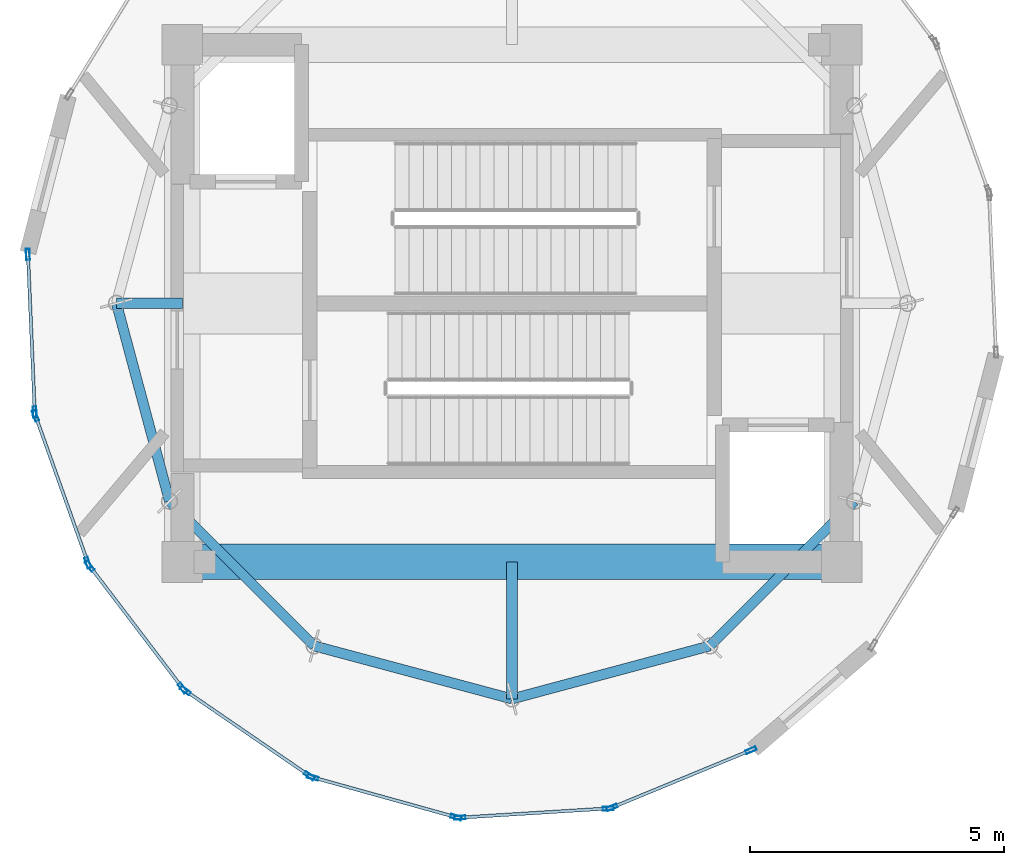
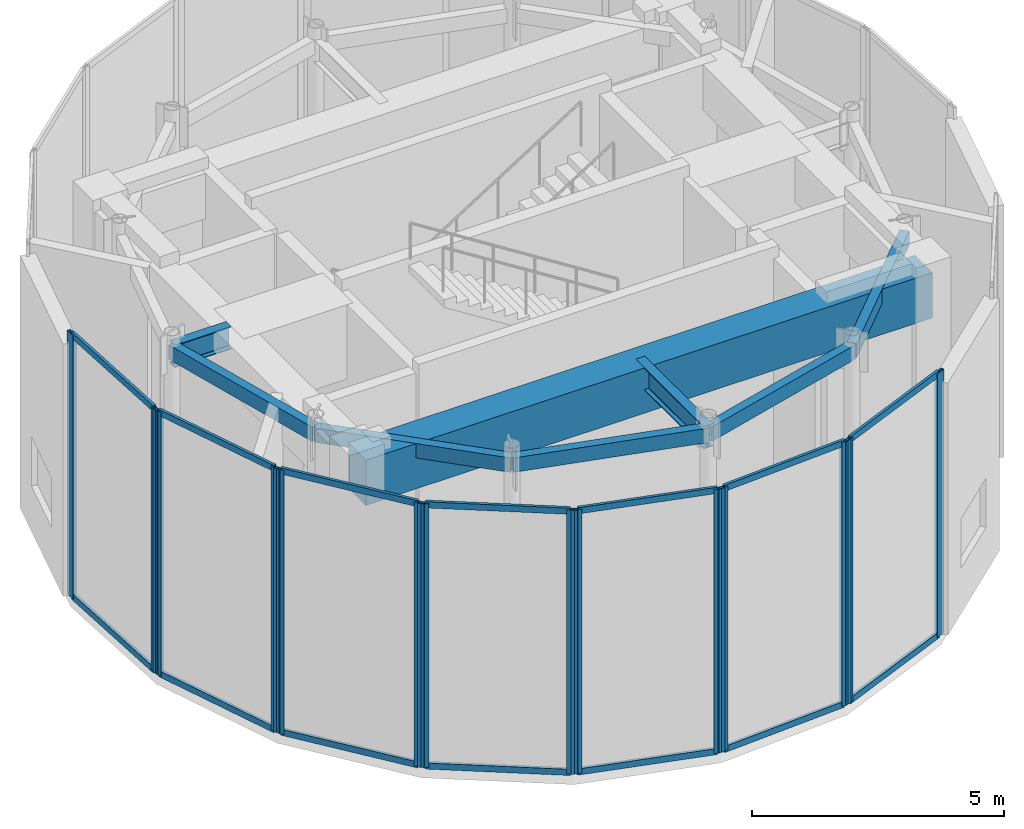
# One storey, part 2 of 8: 28 members, 8 beams, 7 elements without a shape of their own.
"""IFC4 building model written with IfcOpenShell, lengths in metres."""

from ifc_helpers import new_model, si_unit, direction, frame, origin, origin_2d, place, context, subcontext, project, spatial, rectangle, hollow_rectangle, i_section, extrude, source, transform, mapped, material, layer, layer_set, material_profile, profile_set, type_object, element, aggregate, save


model = new_model("IFC4")

# Units and contexts
model_context = context("Model", 3, precision=1e-05, world=origin(), true_north=direction((0.0, 1.0)))
body_context = subcontext(model_context, "Body", "Model", "MODEL_VIEW")
ifc_project = project(units=[si_unit("LENGTHUNIT", "METRE"), si_unit("AREAUNIT", "SQUARE_METRE"), si_unit("VOLUMEUNIT", "CUBIC_METRE"), si_unit("PLANEANGLEUNIT", "RADIAN"), si_unit("MASSUNIT", "GRAM", prefix="KILO")], contexts=[model_context])

# Site, building, storey
site_placement = place(None, origin())
site = spatial("IfcSite", under=ifc_project, at=site_placement, CompositionType="ELEMENT")
building_placement = place(site_placement, origin())
building = spatial("IfcBuilding", under=site, at=building_placement, Name="Solvirekh Grand Hotel", CompositionType="ELEMENT")
storey_placement = place(building_placement, frame((0.0, 0.0, 327.39990234375)))
storey = spatial("IfcBuildingStorey", under=building, at=storey_placement, Name="L82", CompositionType="ELEMENT", Elevation=327.39990234375)

# Beams
ifc_material_1 = material(Name="Concrete C60/75", Category="concrete")
ifc_material_profile_1 = material_profile(ifc_material_1, rectangle(XDim=0.699951171875, YDim=1.10009765625, at=origin_2d()), Name="RC BEAM 700X1100")
ifc_profile_set_1 = profile_set([ifc_material_profile_1], Name="Concrete C60/75")
beam_type_1 = type_object("IfcBeamType", Name="Beam_Core_RC1100", PredefinedType="BEAM", material=ifc_profile_set_1)
beam_1_placement = place(storey_placement, frame((-6.5, -5.10009765625, 5.570068359375), z_axis=(1.0, 0.0, 0.0), x_axis=(0.0, 1.0, 0.0)))
element("IfcBeam", 1, at=beam_1_placement, inside=storey, type_object=beam_type_1, Name="L82 core coupling ring beam 1", PredefinedType="BEAM", context=body_context, shape_type="SweptSolid", body=[
    extrude(rectangle(XDim=0.699951171875, YDim=1.10009765625, at=origin_2d()), origin(), (0.0, 0.0, 1.0), 13.0),
])
ifc_material_2 = material(Name="Steel S355", Category="steel")
ifc_material_profile_2 = material_profile(ifc_material_2, i_section(OverallWidth=0.2119140625, OverallDepth=0.5439453125, WebThickness=0.011962890625, FlangeThickness=0.01904296875, FilletRadius=0.013916015625, at=origin_2d()), Name="W530X123")
ifc_profile_set_2 = profile_set([ifc_material_profile_2], Name="Steel S355")
beam_type_2 = type_object("IfcBeamType", Name="Beam_Radial_W530H", PredefinedType="BEAM", material=ifc_profile_set_2)
beam_2_placement = place(storey_placement, frame((-6.5, 0.0, 5.84814453125), z_axis=(-1.0, 0.0, 0.0), x_axis=(0.0, -1.0, 0.0)))
element("IfcBeam", 2, at=beam_2_placement, inside=storey, type_object=beam_type_2, Name="L82 radial floor beam R07", PredefinedType="BEAM", context=body_context, shape_type="SweptSolid", body=[
    extrude(i_section(OverallWidth=0.2119140625, OverallDepth=0.5439453125, WebThickness=0.011962890625, FlangeThickness=0.01904296875, FilletRadius=0.013916015625, at=origin_2d()), origin(), (0.0, 0.0, 1.0), 1.300048828125),
])
beam_3_placement = place(storey_placement, frame((0.0, -5.10009765625, 5.84814453125), z_axis=(0.0, -1.0, 0.0), x_axis=(1.0, 0.0, 0.0)))
element("IfcBeam", 3, at=beam_3_placement, inside=storey, type_object=beam_type_2, Name="L82 radial floor beam R10", PredefinedType="BEAM", context=body_context, shape_type="SweptSolid", body=[
    extrude(i_section(OverallWidth=0.2119140625, OverallDepth=0.5439453125, WebThickness=0.011962890625, FlangeThickness=0.01904296875, FilletRadius=0.013916015625, at=origin_2d()), origin(), (0.0, 0.0, 1.0), 2.699951171875),
])
ifc_material_profile_3 = material_profile(ifc_material_2, hollow_rectangle(XDim=0.199951171875, YDim=0.35009765625, WallThickness=0.013916015625, at=origin_2d()), Name="RHS 350X200X14")
ifc_profile_set_3 = profile_set([ifc_material_profile_3], Name="Steel S355")
beam_type_3 = type_object("IfcBeamType", Name="Spandrel_Crown_RHS350", PredefinedType="SPANDREL", material=ifc_profile_set_3)
for number, where, z_axis, x_axis, name in (
    (4, (-7.800048828125, 0.0, 5.945068359375), (0.258863027773, -0.965914040095, 0.0), (0.965914040095, 0.258863027773, 0.0), "L82 perimeter spandrel beam 7"),
    (5, (-6.7548828125, -3.89990234375, 5.945068359375), (0.707106781187, -0.707106781187, 0.0), (0.707106781187, 0.707106781187, 0.0), "L82 perimeter spandrel beam 8"),
    (6, (-3.89990234375, -6.7548828125, 5.945068359375), (0.965914040095, -0.258863027773, 0.0), (0.258863027773, 0.965914040095, 0.0), "L82 perimeter spandrel beam 9"),
    (7, (0.0, -7.800048828125, 5.945068359375), (0.965914040095, 0.258863027773, 0.0), (-0.258863027773, 0.965914040095, 0.0), "L82 perimeter spandrel beam 10"),
    (8, (3.89990234375, -6.7548828125, 5.945068359375), (0.707106781187, 0.707106781187, 0.0), (-0.707106781187, 0.707106781187, 0.0), "L82 perimeter spandrel beam 11"),
):
    element("IfcBeam", number, at=place(storey_placement, frame(where, z_axis=z_axis, x_axis=x_axis)), inside=storey, type_object=beam_type_3, Name=name, PredefinedType="SPANDREL", context=body_context, shape_type="SweptSolid", body=[
        extrude(hollow_rectangle(XDim=0.199951171875, YDim=0.35009765625, WallThickness=0.013916015625, at=origin_2d()), origin(), (0.0, 0.0, 1.0), 4.03759765625),
    ])

# Curtain wall, members
ifc_material_3 = material(Name="Anodized Bronze Aluminium 6063-T6", Category="aluminium")
ifc_layer = layer(ifc_material_3, 0.219970703125)
ifc_layer_set = layer_set([ifc_layer], Name="Anodized Bronze Aluminium 6063-T6")
curtain_wall_type = type_object("IfcCurtainWallType", Name="CW_Sys6_CrownFacetedPointCW", PredefinedType="NOTDEFINED", material=ifc_layer_set)
curtain_wall_1_placement = place(storey_placement, origin())
curtain_wall_1 = element("IfcCurtainWall", 9, at=curtain_wall_1_placement, inside=storey, type_object=curtain_wall_type, Name="L82 unitised bronze-glass curtain wall CW-L82-C01", PredefinedType="NOTDEFINED")
ifc_material_profile_4 = material_profile(ifc_material_3, hollow_rectangle(XDim=0.074951171875, YDim=0.219970703125, WallThickness=0.006103515625, at=origin_2d()), Name="ALU RHS 220X75X6")
ifc_profile_set_4 = profile_set([ifc_material_profile_4], Name="Anodized Bronze Aluminium 6063-T6")
member_type_1 = type_object("IfcMemberType", Name="CWMullion_Sys6", PredefinedType="MULLION", material=ifc_profile_set_4)
shared_shape_1 = source(origin(), body_context, "Body", "SweptSolid", [
    extrude(hollow_rectangle(XDim=0.074951171875, YDim=0.219970703125, WallThickness=0.006103515625, at=origin_2d()), origin(), (0.0, 0.0, 1.0), 6.400146484375),
])
member_1_placement = place(storey_placement, frame((-1.028564453125, -10.1416015625, 0.0), z_axis=(0.0, 0.0, 1.0), x_axis=(-0.061840109522, 0.998086068861, 0.0)))
member_1 = element("IfcMember", 10, at=member_1_placement, type_object=member_type_1, Name="U06 mullion 1", PredefinedType="MULLION", context=body_context, shape_type="MappedRepresentation", body=[
    mapped(shared_shape_1, transform((0.0, 0.0, 0.0), x_axis=(1.0, 0.0, 0.0), y_axis=(0.0, 1.0, 0.0), z_axis=(0.0, 0.0, 1.0), scale=1.0)),
])
member_2_placement = place(storey_placement, frame((1.898681640625, -9.960205078125, 0.0), z_axis=(0.0, 0.0, 1.0), x_axis=(-0.061840109522, 0.998086068861, 0.0)))
member_2 = element("IfcMember", 11, at=member_2_placement, type_object=member_type_1, Name="U06 mullion 2", PredefinedType="MULLION", context=body_context, shape_type="MappedRepresentation", body=[
    mapped(shared_shape_1, transform((0.0, 0.0, 0.0), x_axis=(1.0, 0.0, 0.0), y_axis=(0.0, 1.0, 0.0), z_axis=(0.0, 0.0, 1.0), scale=1.0)),
])

curtain_wall_2_placement = place(storey_placement, origin())
curtain_wall_2 = element("IfcCurtainWall", 12, at=curtain_wall_2_placement, inside=storey, type_object=curtain_wall_type, Name="L82 unitised bronze-glass curtain wall CW-L82-C02", PredefinedType="NOTDEFINED")
member_3_placement = place(storey_placement, frame((1.970703125, -9.943603515625, 0.0), z_axis=(0.0, 0.0, 1.0), x_axis=(-0.381509939273, 0.924364736582, 0.0)))
member_3 = element("IfcMember", 13, at=member_3_placement, type_object=member_type_1, Name="U06 mullion 1", PredefinedType="MULLION", context=body_context, shape_type="MappedRepresentation", body=[
    mapped(shared_shape_1, transform((0.0, 0.0, 0.0), x_axis=(1.0, 0.0, 0.0), y_axis=(0.0, 1.0, 0.0), z_axis=(0.0, 0.0, 1.0), scale=1.0)),
])
member_4_placement = place(storey_placement, frame((4.71435546875, -8.811279296875, 0.0), z_axis=(0.0, 0.0, 1.0), x_axis=(-0.381509939273, 0.924364736582, 0.0)))
member_4 = element("IfcMember", 14, at=member_4_placement, type_object=member_type_1, Name="U06 mullion 2", PredefinedType="MULLION", context=body_context, shape_type="MappedRepresentation", body=[
    mapped(shared_shape_1, transform((0.0, 0.0, 0.0), x_axis=(1.0, 0.0, 0.0), y_axis=(0.0, 1.0, 0.0), z_axis=(0.0, 0.0, 1.0), scale=1.0)),
])

curtain_wall_3_placement = place(storey_placement, origin())
curtain_wall_3 = element("IfcCurtainWall", 15, at=curtain_wall_3_placement, inside=storey, type_object=curtain_wall_type, Name="L82 unitised bronze-glass curtain wall CW-L82-C16", PredefinedType="NOTDEFINED")
member_5_placement = place(storey_placement, frame((-9.54541015625, 0.965576171875, 0.0), z_axis=(0.0, 0.0, 1.0), x_axis=(0.999075014421, 0.0430013437, 0.0)))
member_5 = element("IfcMember", 16, at=member_5_placement, type_object=member_type_1, Name="U06 mullion 1", PredefinedType="MULLION", context=body_context, shape_type="MappedRepresentation", body=[
    mapped(shared_shape_1, transform((0.0, 0.0, 0.0), x_axis=(1.0, 0.0, 0.0), y_axis=(0.0, 1.0, 0.0), z_axis=(0.0, 0.0, 1.0), scale=1.0)),
])
member_6_placement = place(storey_placement, frame((-9.41162109375, -2.142578125, 0.0), z_axis=(0.0, 0.0, 1.0), x_axis=(0.999075014421, 0.0430013437, 0.0)))
member_6 = element("IfcMember", 17, at=member_6_placement, type_object=member_type_1, Name="U06 mullion 2", PredefinedType="MULLION", context=body_context, shape_type="MappedRepresentation", body=[
    mapped(shared_shape_1, transform((0.0, 0.0, 0.0), x_axis=(1.0, 0.0, 0.0), y_axis=(0.0, 1.0, 0.0), z_axis=(0.0, 0.0, 1.0), scale=1.0)),
])

curtain_wall_4_placement = place(storey_placement, origin())
curtain_wall_4 = element("IfcCurtainWall", 18, at=curtain_wall_4_placement, inside=storey, type_object=curtain_wall_type, Name="L82 unitised bronze-glass curtain wall CW-L82-C17", PredefinedType="NOTDEFINED")
member_7_placement = place(storey_placement, frame((-9.3974609375, -2.21533203125, 0.0), z_axis=(0.0, 0.0, 1.0), x_axis=(0.941949749429, 0.335753882406, 0.0)))
member_7 = element("IfcMember", 19, at=member_7_placement, type_object=member_type_1, Name="U06 mullion 1", PredefinedType="MULLION", context=body_context, shape_type="MappedRepresentation", body=[
    mapped(shared_shape_1, transform((0.0, 0.0, 0.0), x_axis=(1.0, 0.0, 0.0), y_axis=(0.0, 1.0, 0.0), z_axis=(0.0, 0.0, 1.0), scale=1.0)),
])
member_8_placement = place(storey_placement, frame((-8.363525390625, -5.11572265625, 0.0), z_axis=(0.0, 0.0, 1.0), x_axis=(0.941949749429, 0.335753882406, 0.0)))
member_8 = element("IfcMember", 20, at=member_8_placement, type_object=member_type_1, Name="U06 mullion 2", PredefinedType="MULLION", context=body_context, shape_type="MappedRepresentation", body=[
    mapped(shared_shape_1, transform((0.0, 0.0, 0.0), x_axis=(1.0, 0.0, 0.0), y_axis=(0.0, 1.0, 0.0), z_axis=(0.0, 0.0, 1.0), scale=1.0)),
])

curtain_wall_5_placement = place(storey_placement, origin())
curtain_wall_5 = element("IfcCurtainWall", 21, at=curtain_wall_5_placement, inside=storey, type_object=curtain_wall_type, Name="L82 unitised bronze-glass curtain wall CW-L82-C18", PredefinedType="NOTDEFINED")
member_9_placement = place(storey_placement, frame((-8.328369140625, -5.180908203125, 0.0), z_axis=(0.0, 0.0, 1.0), x_axis=(0.795720510876, 0.605663989825, 0.0)))
member_9 = element("IfcMember", 22, at=member_9_placement, type_object=member_type_1, Name="U06 mullion 1", PredefinedType="MULLION", context=body_context, shape_type="MappedRepresentation", body=[
    mapped(shared_shape_1, transform((0.0, 0.0, 0.0), x_axis=(1.0, 0.0, 0.0), y_axis=(0.0, 1.0, 0.0), z_axis=(0.0, 0.0, 1.0), scale=1.0)),
])
member_10_placement = place(storey_placement, frame((-6.496826171875, -7.587158203125, 0.0), z_axis=(0.0, 0.0, 1.0), x_axis=(0.795720510876, 0.605663989825, 0.0)))
member_10 = element("IfcMember", 23, at=member_10_placement, type_object=member_type_1, Name="U06 mullion 2", PredefinedType="MULLION", context=body_context, shape_type="MappedRepresentation", body=[
    mapped(shared_shape_1, transform((0.0, 0.0, 0.0), x_axis=(1.0, 0.0, 0.0), y_axis=(0.0, 1.0, 0.0), z_axis=(0.0, 0.0, 1.0), scale=1.0)),
])

curtain_wall_6_placement = place(storey_placement, origin())
curtain_wall_6 = element("IfcCurtainWall", 24, at=curtain_wall_6_placement, inside=storey, type_object=curtain_wall_type, Name="L82 unitised bronze-glass curtain wall CW-L82-C19", PredefinedType="NOTDEFINED")
member_11_placement = place(storey_placement, frame((-6.443115234375, -7.63818359375, 0.0), z_axis=(0.0, 0.0, 1.0), x_axis=(0.565496427007, 0.824750744797, 0.0)))
member_11 = element("IfcMember", 25, at=member_11_placement, type_object=member_type_1, Name="U06 mullion 1", PredefinedType="MULLION", context=body_context, shape_type="MappedRepresentation", body=[
    mapped(shared_shape_1, transform((0.0, 0.0, 0.0), x_axis=(1.0, 0.0, 0.0), y_axis=(0.0, 1.0, 0.0), z_axis=(0.0, 0.0, 1.0), scale=1.0)),
])
member_12_placement = place(storey_placement, frame((-3.994873046875, -9.31689453125, 0.0), z_axis=(0.0, 0.0, 1.0), x_axis=(0.565496427007, 0.824750744797, 0.0)))
member_12 = element("IfcMember", 26, at=member_12_placement, type_object=member_type_1, Name="U06 mullion 2", PredefinedType="MULLION", context=body_context, shape_type="MappedRepresentation", body=[
    mapped(shared_shape_1, transform((0.0, 0.0, 0.0), x_axis=(1.0, 0.0, 0.0), y_axis=(0.0, 1.0, 0.0), z_axis=(0.0, 0.0, 1.0), scale=1.0)),
])

curtain_wall_7_placement = place(storey_placement, origin())
curtain_wall_7 = element("IfcCurtainWall", 27, at=curtain_wall_7_placement, inside=storey, type_object=curtain_wall_type, Name="L82 unitised bronze-glass curtain wall CW-L82-C20", PredefinedType="NOTDEFINED")
member_13_placement = place(storey_placement, frame((-3.927978515625, -9.34814453125, 0.0), z_axis=(0.0, 0.0, 1.0), x_axis=(0.267952483033, 0.963432128817, 0.0)))
member_13 = element("IfcMember", 28, at=member_13_placement, type_object=member_type_1, Name="U06 mullion 1", PredefinedType="MULLION", context=body_context, shape_type="MappedRepresentation", body=[
    mapped(shared_shape_1, transform((0.0, 0.0, 0.0), x_axis=(1.0, 0.0, 0.0), y_axis=(0.0, 1.0, 0.0), z_axis=(0.0, 0.0, 1.0), scale=1.0)),
])
member_14_placement = place(storey_placement, frame((-1.10205078125, -10.134033203125, 0.0), z_axis=(0.0, 0.0, 1.0), x_axis=(0.267952483033, 0.963432128817, 0.0)))
member_14 = element("IfcMember", 29, at=member_14_placement, type_object=member_type_1, Name="U06 mullion 2", PredefinedType="MULLION", context=body_context, shape_type="MappedRepresentation", body=[
    mapped(shared_shape_1, transform((0.0, 0.0, 0.0), x_axis=(1.0, 0.0, 0.0), y_axis=(0.0, 1.0, 0.0), z_axis=(0.0, 0.0, 1.0), scale=1.0)),
])

# Member
ifc_material_profile_5 = material_profile(ifc_material_3, hollow_rectangle(XDim=0.06494140625, YDim=0.14990234375, WallThickness=0.0048828125, at=origin_2d()), Name="ALU RHS 150X65X5")
ifc_profile_set_5 = profile_set([ifc_material_profile_5], Name="Anodized Bronze Aluminium 6063-T6")
member_type_2 = type_object("IfcMemberType", Name="CWTransom_Sys6", PredefinedType="USERDEFINED", material=ifc_profile_set_5)
shared_shape_2 = source(origin(), body_context, "Body", "SweptSolid", [
    extrude(hollow_rectangle(XDim=0.06494140625, YDim=0.14990234375, WallThickness=0.0048828125, at=origin_2d()), origin(), (0.0, 0.0, 1.0), 2.857666015625),
])
member_15_placement = place(storey_placement, frame((-0.9912109375, -10.139404296875, 0.03271484375), z_axis=(0.99808534864, 0.061851732638, 0.0), x_axis=(-0.061851732638, 0.99808534864, 0.0)))
member_15 = element("IfcMember", 30, at=member_15_placement, type_object=member_type_2, Name="U06 transom 1.1", ObjectType="TRANSOM", PredefinedType="USERDEFINED", context=body_context, shape_type="MappedRepresentation", body=[
    mapped(shared_shape_2, transform((0.0, 0.0, 0.0), x_axis=(1.0, 0.0, 0.0), y_axis=(0.0, 1.0, 0.0), z_axis=(0.0, 0.0, 1.0), scale=1.0)),
])

member_16_placement = place(storey_placement, frame((-0.9912109375, -10.139404296875, 6.36767578125), z_axis=(0.99808534864, 0.061851732638, 0.0), x_axis=(-0.061851732638, 0.99808534864, 0.0)))
member_16 = element("IfcMember", 31, at=member_16_placement, type_object=member_type_2, Name="U06 transom 1.2", ObjectType="TRANSOM", PredefinedType="USERDEFINED", context=body_context, shape_type="MappedRepresentation", body=[
    mapped(shared_shape_2, transform((0.0, 0.0, 0.0), x_axis=(1.0, 0.0, 0.0), y_axis=(0.0, 1.0, 0.0), z_axis=(0.0, 0.0, 1.0), scale=1.0)),
])

aggregate(curtain_wall_1, [member_1, member_2, member_15, member_16])

shared_shape_3 = source(origin(), body_context, "Body", "SweptSolid", [
    extrude(hollow_rectangle(XDim=0.06494140625, YDim=0.14990234375, WallThickness=0.0048828125, at=origin_2d()), origin(), (0.0, 0.0, 1.0), 2.89306640625),
])
member_17_placement = place(storey_placement, frame((2.00537109375, -9.929443359375, 0.03271484375), z_axis=(0.924364958744, 0.381509400993, 0.0), x_axis=(-0.381509400993, 0.924364958744, 0.0)))
member_17 = element("IfcMember", 32, at=member_17_placement, type_object=member_type_2, Name="U06 transom 1.1", ObjectType="TRANSOM", PredefinedType="USERDEFINED", context=body_context, shape_type="MappedRepresentation", body=[
    mapped(shared_shape_3, transform((0.0, 0.0, 0.0), x_axis=(1.0, 0.0, 0.0), y_axis=(0.0, 1.0, 0.0), z_axis=(0.0, 0.0, 1.0), scale=1.0)),
])

member_18_placement = place(storey_placement, frame((2.00537109375, -9.929443359375, 6.36767578125), z_axis=(0.924364958744, 0.381509400993, 0.0), x_axis=(-0.381509400993, 0.924364958744, 0.0)))
member_18 = element("IfcMember", 33, at=member_18_placement, type_object=member_type_2, Name="U06 transom 1.2", ObjectType="TRANSOM", PredefinedType="USERDEFINED", context=body_context, shape_type="MappedRepresentation", body=[
    mapped(shared_shape_3, transform((0.0, 0.0, 0.0), x_axis=(1.0, 0.0, 0.0), y_axis=(0.0, 1.0, 0.0), z_axis=(0.0, 0.0, 1.0), scale=1.0)),
])

aggregate(curtain_wall_2, [member_3, member_4, member_17, member_18])

shared_shape_4 = source(origin(), body_context, "Body", "SweptSolid", [
    extrude(hollow_rectangle(XDim=0.06494140625, YDim=0.14990234375, WallThickness=0.0048828125, at=origin_2d()), origin(), (0.0, 0.0, 1.0), 3.03564453125),
])
member_19_placement = place(storey_placement, frame((-9.543701171875, 0.927978515625, 0.03271484375), z_axis=(0.04294512991, -0.999077432343, 0.0), x_axis=(0.999077432343, 0.04294512991, 0.0)))
member_19 = element("IfcMember", 34, at=member_19_placement, type_object=member_type_2, Name="U06 transom 1.1", ObjectType="TRANSOM", PredefinedType="USERDEFINED", context=body_context, shape_type="MappedRepresentation", body=[
    mapped(shared_shape_4, transform((0.0, 0.0, 0.0), x_axis=(1.0, 0.0, 0.0), y_axis=(0.0, 1.0, 0.0), z_axis=(0.0, 0.0, 1.0), scale=1.0)),
])

member_20_placement = place(storey_placement, frame((-9.543701171875, 0.927978515625, 6.36767578125), z_axis=(0.04294512991, -0.999077432343, 0.0), x_axis=(0.999077432343, 0.04294512991, 0.0)))
member_20 = element("IfcMember", 35, at=member_20_placement, type_object=member_type_2, Name="U06 transom 1.2", ObjectType="TRANSOM", PredefinedType="USERDEFINED", context=body_context, shape_type="MappedRepresentation", body=[
    mapped(shared_shape_4, transform((0.0, 0.0, 0.0), x_axis=(1.0, 0.0, 0.0), y_axis=(0.0, 1.0, 0.0), z_axis=(0.0, 0.0, 1.0), scale=1.0)),
])

aggregate(curtain_wall_3, [member_5, member_6, member_19, member_20])

shared_shape_5 = source(origin(), body_context, "Body", "SweptSolid", [
    extrude(hollow_rectangle(XDim=0.06494140625, YDim=0.14990234375, WallThickness=0.0048828125, at=origin_2d()), origin(), (0.0, 0.0, 1.0), 3.00390625),
])
member_21_placement = place(storey_placement, frame((-9.384765625, -2.250732421875, 0.03271484375), z_axis=(0.335739100927, -0.941955018092, 0.0), x_axis=(0.941955018092, 0.335739100927, 0.0)))
member_21 = element("IfcMember", 36, at=member_21_placement, type_object=member_type_2, Name="U06 transom 1.1", ObjectType="TRANSOM", PredefinedType="USERDEFINED", context=body_context, shape_type="MappedRepresentation", body=[
    mapped(shared_shape_5, transform((0.0, 0.0, 0.0), x_axis=(1.0, 0.0, 0.0), y_axis=(0.0, 1.0, 0.0), z_axis=(0.0, 0.0, 1.0), scale=1.0)),
])

member_22_placement = place(storey_placement, frame((-9.384765625, -2.250732421875, 6.36767578125), z_axis=(0.335739100927, -0.941955018092, 0.0), x_axis=(0.941955018092, 0.335739100927, 0.0)))
member_22 = element("IfcMember", 37, at=member_22_placement, type_object=member_type_2, Name="U06 transom 1.2", ObjectType="TRANSOM", PredefinedType="USERDEFINED", context=body_context, shape_type="MappedRepresentation", body=[
    mapped(shared_shape_5, transform((0.0, 0.0, 0.0), x_axis=(1.0, 0.0, 0.0), y_axis=(0.0, 1.0, 0.0), z_axis=(0.0, 0.0, 1.0), scale=1.0)),
])

aggregate(curtain_wall_4, [member_7, member_8, member_21, member_22])

shared_shape_6 = source(origin(), body_context, "Body", "SweptSolid", [
    extrude(hollow_rectangle(XDim=0.06494140625, YDim=0.14990234375, WallThickness=0.0048828125, at=origin_2d()), origin(), (0.0, 0.0, 1.0), 2.94921875),
])
member_23_placement = place(storey_placement, frame((-8.3056640625, -5.210693359375, 0.03271484375), z_axis=(0.605654042031, -0.795728082558, 0.0), x_axis=(0.795728082558, 0.605654042031, 0.0)))
member_23 = element("IfcMember", 38, at=member_23_placement, type_object=member_type_2, Name="U06 transom 1.1", ObjectType="TRANSOM", PredefinedType="USERDEFINED", context=body_context, shape_type="MappedRepresentation", body=[
    mapped(shared_shape_6, transform((0.0, 0.0, 0.0), x_axis=(1.0, 0.0, 0.0), y_axis=(0.0, 1.0, 0.0), z_axis=(0.0, 0.0, 1.0), scale=1.0)),
])

member_24_placement = place(storey_placement, frame((-8.3056640625, -5.210693359375, 6.36767578125), z_axis=(0.605654042031, -0.795728082558, 0.0), x_axis=(0.795728082558, 0.605654042031, 0.0)))
member_24 = element("IfcMember", 39, at=member_24_placement, type_object=member_type_2, Name="U06 transom 1.2", ObjectType="TRANSOM", PredefinedType="USERDEFINED", context=body_context, shape_type="MappedRepresentation", body=[
    mapped(shared_shape_6, transform((0.0, 0.0, 0.0), x_axis=(1.0, 0.0, 0.0), y_axis=(0.0, 1.0, 0.0), z_axis=(0.0, 0.0, 1.0), scale=1.0)),
])

aggregate(curtain_wall_5, [member_9, member_10, member_23, member_24])

shared_shape_7 = source(origin(), body_context, "Body", "SweptSolid", [
    extrude(hollow_rectangle(XDim=0.06494140625, YDim=0.14990234375, WallThickness=0.0048828125, at=origin_2d()), origin(), (0.0, 0.0, 1.0), 2.858154296875),
])
member_25_placement = place(storey_placement, frame((-3.891845703125, -9.358154296875, 0.03271484375), z_axis=(0.963430972232, -0.267956641537, 0.0), x_axis=(0.267956641537, 0.963430972232, 0.0)))
member_25 = element("IfcMember", 40, at=member_25_placement, type_object=member_type_2, Name="U06 transom 1.1", ObjectType="TRANSOM", PredefinedType="USERDEFINED", context=body_context, shape_type="MappedRepresentation", body=[
    mapped(shared_shape_7, transform((0.0, 0.0, 0.0), x_axis=(1.0, 0.0, 0.0), y_axis=(0.0, 1.0, 0.0), z_axis=(0.0, 0.0, 1.0), scale=1.0)),
])

member_26_placement = place(storey_placement, frame((-3.891845703125, -9.358154296875, 6.36767578125), z_axis=(0.963430972232, -0.267956641537, 0.0), x_axis=(0.267956641537, 0.963430972232, 0.0)))
member_26 = element("IfcMember", 41, at=member_26_placement, type_object=member_type_2, Name="U06 transom 1.2", ObjectType="TRANSOM", PredefinedType="USERDEFINED", context=body_context, shape_type="MappedRepresentation", body=[
    mapped(shared_shape_7, transform((0.0, 0.0, 0.0), x_axis=(1.0, 0.0, 0.0), y_axis=(0.0, 1.0, 0.0), z_axis=(0.0, 0.0, 1.0), scale=1.0)),
])

aggregate(curtain_wall_7, [member_13, member_14, member_25, member_26])

shared_shape_8 = source(origin(), body_context, "Body", "SweptSolid", [
    extrude(hollow_rectangle(XDim=0.06494140625, YDim=0.14990234375, WallThickness=0.0048828125, at=origin_2d()), origin(), (0.0, 0.0, 1.0), 2.893310546875),
])
member_27_placement = place(storey_placement, frame((-6.412109375, -7.659423828125, 0.03271484375), z_axis=(0.824735598484, -0.565518516579, 0.0), x_axis=(0.565518516579, 0.824735598484, 0.0)))
member_27 = element("IfcMember", 42, at=member_27_placement, type_object=member_type_2, Name="U06 transom 1.1", ObjectType="TRANSOM", PredefinedType="USERDEFINED", context=body_context, shape_type="MappedRepresentation", body=[
    mapped(shared_shape_8, transform((0.0, 0.0, 0.0), x_axis=(1.0, 0.0, 0.0), y_axis=(0.0, 1.0, 0.0), z_axis=(0.0, 0.0, 1.0), scale=1.0)),
])

member_28_placement = place(storey_placement, frame((-6.412109375, -7.659423828125, 6.36767578125), z_axis=(0.824735598484, -0.565518516579, 0.0), x_axis=(0.565518516579, 0.824735598484, 0.0)))
member_28 = element("IfcMember", 43, at=member_28_placement, type_object=member_type_2, Name="U06 transom 1.2", ObjectType="TRANSOM", PredefinedType="USERDEFINED", context=body_context, shape_type="MappedRepresentation", body=[
    mapped(shared_shape_8, transform((0.0, 0.0, 0.0), x_axis=(1.0, 0.0, 0.0), y_axis=(0.0, 1.0, 0.0), z_axis=(0.0, 0.0, 1.0), scale=1.0)),
])

aggregate(curtain_wall_6, [member_11, member_12, member_27, member_28])

save(model, "model.ifc")
